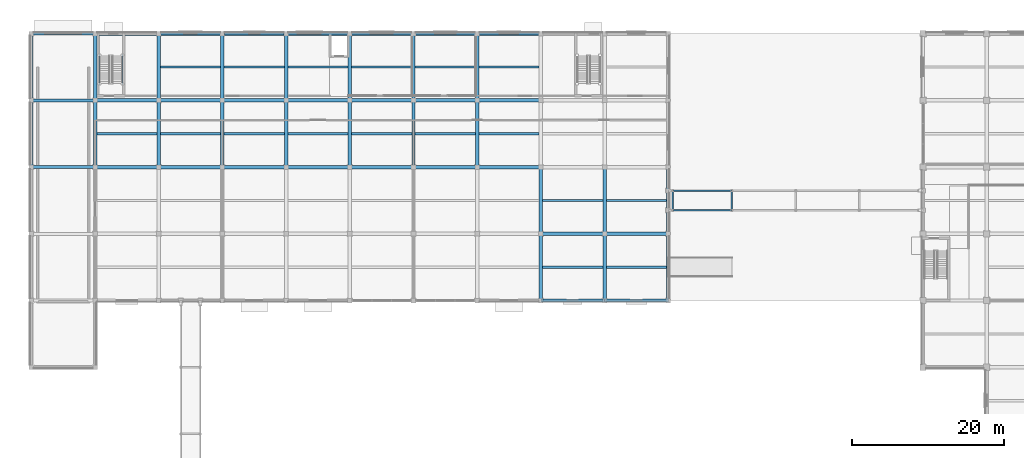
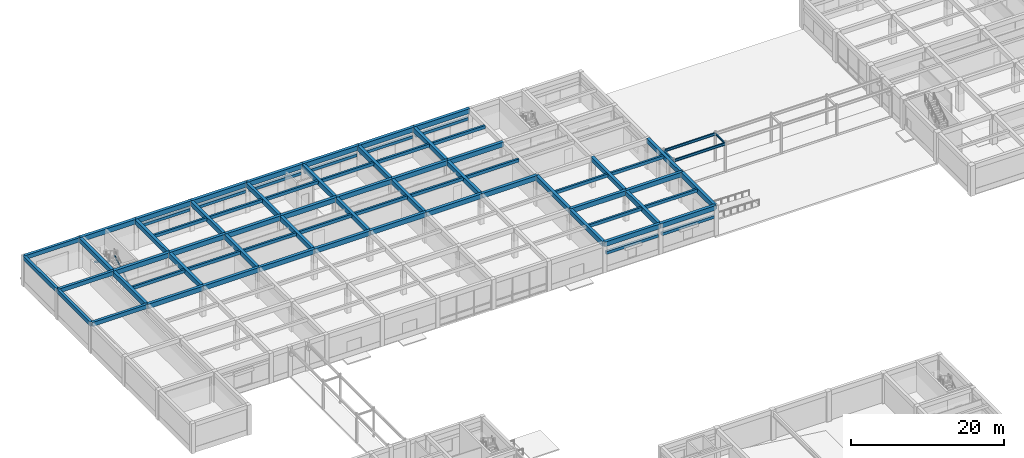
# One storey, part 17 of 58: 79 beams, 2 members.
"""IFC4 building model written with IfcOpenShell, lengths in metres."""

import ifcopenshell
import ifcopenshell.guid

model = None  # the IFC model being written
_history = None  # IfcOwnerHistory: only IFC2X3 demands one
_inside = {}  # id of a spatial element -> (the spatial element, [elements in it])
_under = {}  # id of a project, library or spatial element -> (it, [spatial elements below it])
_declared = {}  # id of a project -> (the project, [libraries it declares])
_typed = {}  # id of a type object -> (the type object, [elements of that type])
_made_of = {}  # id of a material, layer set ... -> (it, [elements and type objects made of it])


def new_model(schema):
    """Start an empty IFC model of exactly this schema.

    Asked for "IFC4X3", IfcOpenShell would pick the latest addendum, in which some entities
    have other attributes; the version numbers below select the first issue.
    IFC2X3 requires an IfcOwnerHistory on every rooted entity: one is made here for all.
    """
    global model, _history
    if schema == "IFC4X3":
        model = ifcopenshell.file(schema_version=(4, 3, 0, 0))
    else:
        model = ifcopenshell.file(schema=schema)
    _inside.clear()
    _under.clear()
    _declared.clear()
    _typed.clear()
    _made_of.clear()
    _history = None
    if model.schema == "IFC2X3":
        org = make("IfcOrganization", Name="unknown")
        user = make(
            "IfcPersonAndOrganization",
            ThePerson=make("IfcPerson", FamilyName="unknown"),
            TheOrganization=org,
        )
        app = make(
            "IfcApplication",
            ApplicationDeveloper=org,
            Version="unknown",
            ApplicationFullName="unknown",
            ApplicationIdentifier="unknown",
        )
        _history = make(
            "IfcOwnerHistory",
            OwningUser=user,
            OwningApplication=app,
            ChangeAction="ADDED",
            CreationDate=0,
        )
    return model


def make(cls, **values):
    """One entity of the class cls with the attributes given. An attribute that is None is left unset."""
    return model.create_entity(
        cls, **{name: value for name, value in values.items() if value is not None}
    )


def rooted(cls, **values):
    """An entity with a GlobalId (a new one), such as an element, a storey or a relation."""
    return make(cls, GlobalId=ifcopenshell.guid.new(), OwnerHistory=_history, **values)


def si_unit(unit_type, name, prefix=None):
    """IfcSIUnit, for example si_unit("LENGTHUNIT", "METRE", prefix="MILLI")."""
    return make("IfcSIUnit", UnitType=unit_type, Prefix=prefix, Name=name)


def assignment(units):
    """IfcUnitAssignment: the units of a project."""
    return None if units is None else make("IfcUnitAssignment", Units=units)


def point(xyz):
    """IfcCartesianPoint."""
    return None if xyz is None else make("IfcCartesianPoint", Coordinates=xyz)


def direction(xyz):
    """IfcDirection."""
    return None if xyz is None else make("IfcDirection", DirectionRatios=xyz)


def frame(location, z_axis=None, x_axis=None):
    """IfcAxis2Placement3D, a coordinate frame: its origin and axes. An axis left out is left unset."""
    return make(
        "IfcAxis2Placement3D",
        Location=point(location),
        Axis=direction(z_axis),
        RefDirection=direction(x_axis),
    )


def frame_2d(location, x_axis=None):
    """IfcAxis2Placement2D, a coordinate frame in the plane: its origin and x axis."""
    return make(
        "IfcAxis2Placement2D", Location=point(location), RefDirection=direction(x_axis)
    )


def origin():
    """The frame at (0, 0, 0) with its axes left unset."""
    return frame((0.0, 0.0, 0.0))


def origin_2d():
    """The frame at (0, 0) in the plane with its x axis left unset."""
    return frame_2d((0.0, 0.0))


def place(relative_to, where):
    """IfcLocalPlacement: puts the frame where relative to a parent placement (None: the world)."""
    return make(
        "IfcLocalPlacement", PlacementRelTo=relative_to, RelativePlacement=where
    )


def context(
    kind, dimensions, precision=None, world=None, true_north=None, identifier=None
):
    """IfcGeometricRepresentationContext, for example the 3D "Model" context."""
    return make(
        "IfcGeometricRepresentationContext",
        ContextIdentifier=identifier,
        ContextType=kind,
        CoordinateSpaceDimension=dimensions,
        Precision=precision,
        WorldCoordinateSystem=world,
        TrueNorth=true_north,
    )


def subcontext(parent, identifier, kind, view, scale=None):
    """IfcGeometricRepresentationSubContext, for example "Body" below "Model"."""
    return make(
        "IfcGeometricRepresentationSubContext",
        ContextIdentifier=identifier,
        ContextType=kind,
        ParentContext=parent,
        TargetScale=scale,
        TargetView=view,
    )


def project(units=None, contexts=None):
    """IfcProject with its units and contexts."""
    return rooted(
        "IfcProject",
        Name="project",
        RepresentationContexts=contexts,
        UnitsInContext=assignment(units),
    )


def spatial(cls, under=None, at=None, **own):
    """A site, building, storey or space (cls), placed at a placement, below another one or the project."""
    s = rooted(cls, ObjectPlacement=at, **own)
    if under is not None:
        _under.setdefault(under.id(), (under, []))[1].append(s)
    return s


def profile(cls, at=None, kind="AREA", **sizes):
    """A parametric profile (cls). Its sizes go by their IFC names, for example OverallWidth=200.0."""
    return make(cls, ProfileType=kind, Position=at, **sizes)


def rectangle(**sizes):
    """IfcRectangleProfileDef."""
    return profile("IfcRectangleProfileDef", **sizes)


def hollow_rectangle(**sizes):
    """IfcRectangleHollowProfileDef."""
    return profile("IfcRectangleHollowProfileDef", **sizes)


def i_section(**sizes):
    """IfcIShapeProfileDef."""
    return profile("IfcIShapeProfileDef", **sizes)


def extrude(swept, where, along, depth):
    """IfcExtrudedAreaSolid: the profile swept, set in the frame where, extruded along a direction by depth."""
    return make(
        "IfcExtrudedAreaSolid",
        SweptArea=swept,
        Position=where,
        ExtrudedDirection=direction(along),
        Depth=depth,
    )


def shape(context_of_items, identifier, shape_type, items):
    """IfcShapeRepresentation: the items that make up one representation, for example the "Body"."""
    return make(
        "IfcShapeRepresentation",
        ContextOfItems=context_of_items,
        RepresentationIdentifier=identifier,
        RepresentationType=shape_type,
        Items=items,
    )


def material(Name=None, Category=None):
    """IfcMaterial."""
    return make("IfcMaterial", Name=Name, Category=Category)


def material_profile(
    of_material, cross_section, Name=None, Category=None, Priority=None
):
    """IfcMaterialProfile: a cross section and its material."""
    return make(
        "IfcMaterialProfile",
        Name=Name,
        Material=of_material,
        Profile=cross_section,
        Priority=Priority,
        Category=Category,
    )


def profile_set(profiles, Name=None, composite=None):
    """IfcMaterialProfileSet."""
    return make(
        "IfcMaterialProfileSet",
        Name=Name,
        MaterialProfiles=profiles,
        CompositeProfile=composite,
    )


def made_of(thing, what):
    """Note that an element or type object is made of a material, layer set ...; save() writes the relation."""
    if what is not None:
        _made_of.setdefault(what.id(), (what, []))[1].append(thing)
    return thing


def type_object(cls, material=None, **own):
    """A type object (cls), such as IfcWallType, which elements share."""
    return made_of(rooted(cls, **own), material)


def element(
    cls,
    number,
    at=None,
    inside=None,
    cuts=None,
    type_object=None,
    material=None,
    context=None,
    identifier="Body",
    shape_type=None,
    held_by="IfcProductDefinitionShape",
    body=None,
    shapes=None,
    **own,
):
    """One element of the class cls, such as IfcWall. Its Tag is "e" and its number.

    at: its placement. inside: the storey or other place that contains it. cuts: it is an
    opening in that element (IfcRelVoidsElement). A single representation is given by context,
    identifier, shape_type and body (its items); several are given by shapes. held_by: the class
    of the entity that holds the representations. save() writes the other relations.
    """
    e = rooted(cls, Tag="e%d" % number, ObjectPlacement=at, **own)
    if body is not None:
        shapes = [shape(context, identifier, shape_type, body)]
    if shapes is not None:
        e.Representation = make(held_by, Representations=shapes)
    if inside is not None:
        _inside.setdefault(inside.id(), (inside, []))[1].append(e)
    if cuts is not None:
        rooted(
            "IfcRelVoidsElement", RelatingBuildingElement=cuts, RelatedOpeningElement=e
        )
    if type_object is not None:
        _typed.setdefault(type_object.id(), (type_object, []))[1].append(e)
    return made_of(e, material)


def aggregate(whole, parts):
    """IfcRelAggregates: a whole, such as a stair, and the parts it consists of."""
    return rooted("IfcRelAggregates", RelatingObject=whole, RelatedObjects=parts)


def save(model, path):
    """Write the relations noted so far, then the file.

    IfcRelAggregates (storeys below a building ...), IfcRelContainedInSpatialStructure (elements
    in a storey), IfcRelDefinesByType, IfcRelAssociatesMaterial and IfcRelDeclares: one each for
    every whole, place, type object, material and project.
    """
    for whole, parts in _under.values():
        aggregate(whole, parts)
    for where, things in _inside.values():
        rooted(
            "IfcRelContainedInSpatialStructure",
            RelatedElements=things,
            RelatingStructure=where,
        )
    for kind, things in _typed.values():
        rooted("IfcRelDefinesByType", RelatedObjects=things, RelatingType=kind)
    for what, things in _made_of.values():
        rooted("IfcRelAssociatesMaterial", RelatedObjects=things, RelatingMaterial=what)
    for by, libraries in _declared.values():
        rooted("IfcRelDeclares", RelatingContext=by, RelatedDefinitions=libraries)
    model.write(path)


model = new_model("IFC4")

# Units and contexts
model_context = context("Model", 3, precision=1e-05, world=origin(), true_north=direction((0.0, 1.0)))
body_context = subcontext(model_context, "Body", "Model", "MODEL_VIEW")
ifc_project = project(units=[si_unit("LENGTHUNIT", "METRE"), si_unit("AREAUNIT", "SQUARE_METRE"), si_unit("VOLUMEUNIT", "CUBIC_METRE"), si_unit("PLANEANGLEUNIT", "RADIAN"), si_unit("MASSUNIT", "GRAM", prefix="KILO")], contexts=[model_context])

# Site, building, storey
site_placement = place(None, origin())
site = spatial("IfcSite", under=ifc_project, at=site_placement, CompositionType="ELEMENT")
building_placement = place(site_placement, origin())
building = spatial("IfcBuilding", under=site, at=building_placement, Name="Kemercrest Conservatory and Botanical Centre", CompositionType="ELEMENT")
storey_placement = place(building_placement, origin())
storey = spatial("IfcBuildingStorey", under=building, at=storey_placement, Name="L00", CompositionType="ELEMENT", Elevation=0.0)

# Beams
ifc_material_1 = material(Name="Steel CSA G40.21 350W", Category="steel")
ifc_material_profile_1 = material_profile(ifc_material_1, i_section(OverallWidth=0.180908203125, OverallDepth=0.4169921875, WebThickness=0.010986328125, FlangeThickness=0.018310546875, FilletRadius=0.01611328125, at=origin_2d()), Name="W410X85")
ifc_profile_set_1 = profile_set([ifc_material_profile_1], Name="Steel CSA G40.21 350W")
beam_type_1 = type_object("IfcBeamType", Name="BM-LB410", PredefinedType="BEAM", material=ifc_profile_set_1)
for number, where, z_axis, x_axis, name in (
    (1, (92.60009765625, 99.10009765625, 4.37158203125), (1.0, 0.0, 0.0), (0.0, 1.0, 0.0), "Link bridge girder LB-01 SJ-3"),
    (2, (92.60009765625, 101.699951171875, 4.37158203125), (1.0, 0.0, 0.0), (0.0, 1.0, 0.0), "Link bridge girder LB-01 SJ-3"),
):
    element("IfcBeam", number, at=place(storey_placement, frame(where, z_axis=z_axis, x_axis=x_axis)), inside=storey, type_object=beam_type_1, Name=name, PredefinedType="BEAM", context=body_context, shape_type="SweptSolid", body=[
        extrude(i_section(OverallWidth=0.180908203125, OverallDepth=0.4169921875, WebThickness=0.010986328125, FlangeThickness=0.018310546875, FilletRadius=0.01611328125, at=origin_2d()), origin(), (0.0, 0.0, 1.0), 7.7998046875),
    ])
ifc_material_2 = material(Name="Concrete C40/50", Category="concrete")
ifc_material_profile_2 = material_profile(ifc_material_2, rectangle(XDim=0.39990234375, YDim=0.64990234375, at=origin_2d()), Name="RC 400x650")
ifc_profile_set_2 = profile_set([ifc_material_profile_2], Name="Concrete C40/50")
beam_type_2 = type_object("IfcBeamType", Name="BM-RC65", PredefinedType="BEAM", material=ifc_profile_set_2)
for number, where, z_axis, x_axis, name in (
    (3, (8.0, 104.800048828125, 4.47509765625), (1.0, 0.0, 0.0), (0.0, 1.0, 0.0), "V3RAMP beam BM-RC65 M/01-02"),
    (4, (8.0, 113.60009765625, 4.47509765625), (1.0, 0.0, 0.0), (0.0, 1.0, 0.0), "V3RAMP beam BM-RC65 N/01-02"),
):
    element("IfcBeam", number, at=place(storey_placement, frame(where, z_axis=z_axis, x_axis=x_axis)), inside=storey, type_object=beam_type_2, Name=name, PredefinedType="BEAM", context=body_context, shape_type="SweptSolid", body=[
        extrude(rectangle(XDim=0.39990234375, YDim=0.64990234375, at=origin_2d()), origin(), (0.0, 0.0, 1.0), 8.39990234375),
    ])
ifc_material_profile_3 = material_profile(ifc_material_2, rectangle(XDim=0.449951171875, YDim=0.75, at=origin_2d()), Name="RC 450x750")
ifc_profile_set_3 = profile_set([ifc_material_profile_3], Name="Concrete C40/50")
beam_type_3 = type_object("IfcBeamType", Name="BM-RC75", PredefinedType="BEAM", material=ifc_profile_set_3)
beam_1_placement = place(storey_placement, frame((75.199951171875, 96.0, 4.425048828125), z_axis=(1.0, 0.0, 0.0), x_axis=(0.0, 1.0, 0.0)))
element("IfcBeam", 5, at=beam_1_placement, inside=storey, type_object=beam_type_3, Name="V3-L01 beam BM-RC75 L/09-10", PredefinedType="BEAM", context=body_context, shape_type="SweptSolid", body=[
    extrude(rectangle(XDim=0.449951171875, YDim=0.75, at=origin_2d()), origin(), (0.0, 0.0, 1.0), 8.400146484375),
])
beam_2_placement = place(storey_placement, frame((83.60009765625, 96.0, 4.425048828125), z_axis=(1.0, 0.0, 0.0), x_axis=(0.0, 1.0, 0.0)))
element("IfcBeam", 6, at=beam_2_placement, inside=storey, type_object=beam_type_3, Name="V3-L01 beam BM-RC75 L/10-11", PredefinedType="BEAM", context=body_context, shape_type="SweptSolid", body=[
    extrude(rectangle(XDim=0.449951171875, YDim=0.75, at=origin_2d()), origin(), (0.0, 0.0, 1.0), 8.39990234375),
])
beam_3_placement = place(storey_placement, frame((16.39990234375, 104.800048828125, 4.425048828125), z_axis=(1.0, 0.0, 0.0), x_axis=(0.0, 1.0, 0.0)))
element("IfcBeam", 7, at=beam_3_placement, inside=storey, type_object=beam_type_3, Name="V3-L01 beam BM-RC75 M/02-03", PredefinedType="BEAM", context=body_context, shape_type="SweptSolid", body=[
    extrude(rectangle(XDim=0.449951171875, YDim=0.75, at=origin_2d()), origin(), (0.0, 0.0, 1.0), 8.400146484375),
])
beam_4_placement = place(storey_placement, frame((24.800048828125, 104.800048828125, 4.425048828125), z_axis=(1.0, 0.0, 0.0), x_axis=(0.0, 1.0, 0.0)))
element("IfcBeam", 8, at=beam_4_placement, inside=storey, type_object=beam_type_3, Name="V3-L01 beam BM-RC75 M/03-04", PredefinedType="BEAM", context=body_context, shape_type="SweptSolid", body=[
    extrude(rectangle(XDim=0.449951171875, YDim=0.75, at=origin_2d()), origin(), (0.0, 0.0, 1.0), 8.39990234375),
])
beam_5_placement = place(storey_placement, frame((33.199951171875, 104.800048828125, 4.425048828125), z_axis=(1.0, 0.0, 0.0), x_axis=(0.0, 1.0, 0.0)))
element("IfcBeam", 9, at=beam_5_placement, inside=storey, type_object=beam_type_3, Name="V3-L01 beam BM-RC75 M/04-05", PredefinedType="BEAM", context=body_context, shape_type="SweptSolid", body=[
    extrude(rectangle(XDim=0.449951171875, YDim=0.75, at=origin_2d()), origin(), (0.0, 0.0, 1.0), 8.400146484375),
])
for number, where, z_axis, x_axis, name in (
    (10, (41.60009765625, 104.800048828125, 4.425048828125), (1.0, 0.0, 0.0), (0.0, 1.0, 0.0), "V3-L01 beam BM-RC75 M/05-06"),
    (11, (50.0, 104.800048828125, 4.425048828125), (1.0, 0.0, 0.0), (0.0, 1.0, 0.0), "V3-L01 beam BM-RC75 M/06-07"),
):
    element("IfcBeam", number, at=place(storey_placement, frame(where, z_axis=z_axis, x_axis=x_axis)), inside=storey, type_object=beam_type_3, Name=name, PredefinedType="BEAM", context=body_context, shape_type="SweptSolid", body=[
        extrude(rectangle(XDim=0.449951171875, YDim=0.75, at=origin_2d()), origin(), (0.0, 0.0, 1.0), 8.39990234375),
    ])
beam_6_placement = place(storey_placement, frame((58.39990234375, 104.800048828125, 4.425048828125), z_axis=(1.0, 0.0, 0.0), x_axis=(0.0, 1.0, 0.0)))
element("IfcBeam", 12, at=beam_6_placement, inside=storey, type_object=beam_type_3, Name="V3-L01 beam BM-RC75 M/07-08", PredefinedType="BEAM", context=body_context, shape_type="SweptSolid", body=[
    extrude(rectangle(XDim=0.449951171875, YDim=0.75, at=origin_2d()), origin(), (0.0, 0.0, 1.0), 8.400146484375),
])
beam_7_placement = place(storey_placement, frame((66.800048828125, 104.800048828125, 4.425048828125), z_axis=(1.0, 0.0, 0.0), x_axis=(0.0, 1.0, 0.0)))
element("IfcBeam", 13, at=beam_7_placement, inside=storey, type_object=beam_type_3, Name="V3-L01 beam BM-RC75 M/08-09", PredefinedType="BEAM", context=body_context, shape_type="SweptSolid", body=[
    extrude(rectangle(XDim=0.449951171875, YDim=0.75, at=origin_2d()), origin(), (0.0, 0.0, 1.0), 8.39990234375),
])
beam_8_placement = place(storey_placement, frame((16.39990234375, 113.60009765625, 4.425048828125), z_axis=(1.0, 0.0, 0.0), x_axis=(0.0, 1.0, 0.0)))
element("IfcBeam", 14, at=beam_8_placement, inside=storey, type_object=beam_type_3, Name="V3-L01 beam BM-RC75 N/02-03", PredefinedType="BEAM", context=body_context, shape_type="SweptSolid", body=[
    extrude(rectangle(XDim=0.449951171875, YDim=0.75, at=origin_2d()), origin(), (0.0, 0.0, 1.0), 8.400146484375),
])
beam_9_placement = place(storey_placement, frame((24.800048828125, 113.60009765625, 4.425048828125), z_axis=(1.0, 0.0, 0.0), x_axis=(0.0, 1.0, 0.0)))
element("IfcBeam", 15, at=beam_9_placement, inside=storey, type_object=beam_type_3, Name="V3-L01 beam BM-RC75 N/03-04", PredefinedType="BEAM", context=body_context, shape_type="SweptSolid", body=[
    extrude(rectangle(XDim=0.449951171875, YDim=0.75, at=origin_2d()), origin(), (0.0, 0.0, 1.0), 8.39990234375),
])
beam_10_placement = place(storey_placement, frame((33.199951171875, 113.60009765625, 4.425048828125), z_axis=(1.0, 0.0, 0.0), x_axis=(0.0, 1.0, 0.0)))
element("IfcBeam", 16, at=beam_10_placement, inside=storey, type_object=beam_type_3, Name="V3-L01 beam BM-RC75 N/04-05", PredefinedType="BEAM", context=body_context, shape_type="SweptSolid", body=[
    extrude(rectangle(XDim=0.449951171875, YDim=0.75, at=origin_2d()), origin(), (0.0, 0.0, 1.0), 8.400146484375),
])
for number, where, z_axis, x_axis, name in (
    (17, (41.60009765625, 113.60009765625, 4.425048828125), (1.0, 0.0, 0.0), (0.0, 1.0, 0.0), "V3-L01 beam BM-RC75 N/05-06"),
    (18, (50.0, 113.60009765625, 4.425048828125), (1.0, 0.0, 0.0), (0.0, 1.0, 0.0), "V3-L01 beam BM-RC75 N/06-07"),
):
    element("IfcBeam", number, at=place(storey_placement, frame(where, z_axis=z_axis, x_axis=x_axis)), inside=storey, type_object=beam_type_3, Name=name, PredefinedType="BEAM", context=body_context, shape_type="SweptSolid", body=[
        extrude(rectangle(XDim=0.449951171875, YDim=0.75, at=origin_2d()), origin(), (0.0, 0.0, 1.0), 8.39990234375),
    ])
beam_11_placement = place(storey_placement, frame((58.39990234375, 113.60009765625, 4.425048828125), z_axis=(1.0, 0.0, 0.0), x_axis=(0.0, 1.0, 0.0)))
element("IfcBeam", 19, at=beam_11_placement, inside=storey, type_object=beam_type_3, Name="V3-L01 beam BM-RC75 N/07-08", PredefinedType="BEAM", context=body_context, shape_type="SweptSolid", body=[
    extrude(rectangle(XDim=0.449951171875, YDim=0.75, at=origin_2d()), origin(), (0.0, 0.0, 1.0), 8.400146484375),
])
beam_12_placement = place(storey_placement, frame((66.800048828125, 113.60009765625, 4.425048828125), z_axis=(1.0, 0.0, 0.0), x_axis=(0.0, 1.0, 0.0)))
element("IfcBeam", 20, at=beam_12_placement, inside=storey, type_object=beam_type_3, Name="V3-L01 beam BM-RC75 N/08-09", PredefinedType="BEAM", context=body_context, shape_type="SweptSolid", body=[
    extrude(rectangle(XDim=0.449951171875, YDim=0.75, at=origin_2d()), origin(), (0.0, 0.0, 1.0), 8.39990234375),
])
beam_13_placement = place(storey_placement, frame((24.800048828125, 104.800048828125, 4.425048828125), z_axis=(0.0, 1.0, 0.0), x_axis=(-1.0, 0.0, 0.0)))
element("IfcBeam", 21, at=beam_13_placement, inside=storey, type_object=beam_type_3, Name="V3-L01 beam BM-RC75 03/M-N", PredefinedType="BEAM", context=body_context, shape_type="SweptSolid", body=[
    extrude(rectangle(XDim=0.449951171875, YDim=0.75, at=origin_2d()), origin(), (0.0, 0.0, 1.0), 8.800048828125),
])
beam_14_placement = place(storey_placement, frame((24.800048828125, 113.60009765625, 4.425048828125), z_axis=(0.0, 1.0, 0.0), x_axis=(-1.0, 0.0, 0.0)))
element("IfcBeam", 22, at=beam_14_placement, inside=storey, type_object=beam_type_3, Name="V3-L01 beam BM-RC75 03/N-P", PredefinedType="BEAM", context=body_context, shape_type="SweptSolid", body=[
    extrude(rectangle(XDim=0.449951171875, YDim=0.75, at=origin_2d()), origin(), (0.0, 0.0, 1.0), 8.7998046875),
])
beam_15_placement = place(storey_placement, frame((33.199951171875, 104.800048828125, 4.425048828125), z_axis=(0.0, 1.0, 0.0), x_axis=(-1.0, 0.0, 0.0)))
element("IfcBeam", 23, at=beam_15_placement, inside=storey, type_object=beam_type_3, Name="V3-L01 beam BM-RC75 04/M-N", PredefinedType="BEAM", context=body_context, shape_type="SweptSolid", body=[
    extrude(rectangle(XDim=0.449951171875, YDim=0.75, at=origin_2d()), origin(), (0.0, 0.0, 1.0), 8.800048828125),
])
beam_16_placement = place(storey_placement, frame((33.199951171875, 113.60009765625, 4.425048828125), z_axis=(0.0, 1.0, 0.0), x_axis=(-1.0, 0.0, 0.0)))
element("IfcBeam", 24, at=beam_16_placement, inside=storey, type_object=beam_type_3, Name="V3-L01 beam BM-RC75 04/N-P", PredefinedType="BEAM", context=body_context, shape_type="SweptSolid", body=[
    extrude(rectangle(XDim=0.449951171875, YDim=0.75, at=origin_2d()), origin(), (0.0, 0.0, 1.0), 8.7998046875),
])
beam_17_placement = place(storey_placement, frame((41.60009765625, 104.800048828125, 4.425048828125), z_axis=(0.0, 1.0, 0.0), x_axis=(-1.0, 0.0, 0.0)))
element("IfcBeam", 25, at=beam_17_placement, inside=storey, type_object=beam_type_3, Name="V3-L01 beam BM-RC75 05/M-N", PredefinedType="BEAM", context=body_context, shape_type="SweptSolid", body=[
    extrude(rectangle(XDim=0.449951171875, YDim=0.75, at=origin_2d()), origin(), (0.0, 0.0, 1.0), 8.800048828125),
])
beam_18_placement = place(storey_placement, frame((41.60009765625, 113.60009765625, 4.425048828125), z_axis=(0.0, 1.0, 0.0), x_axis=(-1.0, 0.0, 0.0)))
element("IfcBeam", 26, at=beam_18_placement, inside=storey, type_object=beam_type_3, Name="V3-L01 beam BM-RC75 05/N-P", PredefinedType="BEAM", context=body_context, shape_type="SweptSolid", body=[
    extrude(rectangle(XDim=0.449951171875, YDim=0.75, at=origin_2d()), origin(), (0.0, 0.0, 1.0), 8.7998046875),
])
beam_19_placement = place(storey_placement, frame((50.0, 104.800048828125, 4.425048828125), z_axis=(0.0, 1.0, 0.0), x_axis=(-1.0, 0.0, 0.0)))
element("IfcBeam", 27, at=beam_19_placement, inside=storey, type_object=beam_type_3, Name="V3-L01 beam BM-RC75 06/M-N", PredefinedType="BEAM", context=body_context, shape_type="SweptSolid", body=[
    extrude(rectangle(XDim=0.449951171875, YDim=0.75, at=origin_2d()), origin(), (0.0, 0.0, 1.0), 8.800048828125),
])
beam_20_placement = place(storey_placement, frame((50.0, 113.60009765625, 4.425048828125), z_axis=(0.0, 1.0, 0.0), x_axis=(-1.0, 0.0, 0.0)))
element("IfcBeam", 28, at=beam_20_placement, inside=storey, type_object=beam_type_3, Name="V3-L01 beam BM-RC75 06/N-P", PredefinedType="BEAM", context=body_context, shape_type="SweptSolid", body=[
    extrude(rectangle(XDim=0.449951171875, YDim=0.75, at=origin_2d()), origin(), (0.0, 0.0, 1.0), 8.7998046875),
])
beam_21_placement = place(storey_placement, frame((58.39990234375, 104.800048828125, 4.425048828125), z_axis=(0.0, 1.0, 0.0), x_axis=(-1.0, 0.0, 0.0)))
element("IfcBeam", 29, at=beam_21_placement, inside=storey, type_object=beam_type_3, Name="V3-L01 beam BM-RC75 07/M-N", PredefinedType="BEAM", context=body_context, shape_type="SweptSolid", body=[
    extrude(rectangle(XDim=0.449951171875, YDim=0.75, at=origin_2d()), origin(), (0.0, 0.0, 1.0), 8.800048828125),
])
beam_22_placement = place(storey_placement, frame((58.39990234375, 113.60009765625, 4.425048828125), z_axis=(0.0, 1.0, 0.0), x_axis=(-1.0, 0.0, 0.0)))
element("IfcBeam", 30, at=beam_22_placement, inside=storey, type_object=beam_type_3, Name="V3-L01 beam BM-RC75 07/N-P", PredefinedType="BEAM", context=body_context, shape_type="SweptSolid", body=[
    extrude(rectangle(XDim=0.449951171875, YDim=0.75, at=origin_2d()), origin(), (0.0, 0.0, 1.0), 8.7998046875),
])
beam_23_placement = place(storey_placement, frame((66.800048828125, 104.800048828125, 4.425048828125), z_axis=(0.0, 1.0, 0.0), x_axis=(-1.0, 0.0, 0.0)))
element("IfcBeam", 31, at=beam_23_placement, inside=storey, type_object=beam_type_3, Name="V3-L01 beam BM-RC75 08/M-N", PredefinedType="BEAM", context=body_context, shape_type="SweptSolid", body=[
    extrude(rectangle(XDim=0.449951171875, YDim=0.75, at=origin_2d()), origin(), (0.0, 0.0, 1.0), 8.800048828125),
])
beam_24_placement = place(storey_placement, frame((66.800048828125, 113.60009765625, 4.425048828125), z_axis=(0.0, 1.0, 0.0), x_axis=(-1.0, 0.0, 0.0)))
element("IfcBeam", 32, at=beam_24_placement, inside=storey, type_object=beam_type_3, Name="V3-L01 beam BM-RC75 08/N-P", PredefinedType="BEAM", context=body_context, shape_type="SweptSolid", body=[
    extrude(rectangle(XDim=0.449951171875, YDim=0.75, at=origin_2d()), origin(), (0.0, 0.0, 1.0), 8.7998046875),
])
for number, where, z_axis, x_axis, name in (
    (33, (75.199951171875, 87.199951171875, 4.425048828125), (0.0, 1.0, 0.0), (-1.0, 0.0, 0.0), "V3-L01 beam BM-RC75 09/K-L"),
    (34, (75.199951171875, 96.0, 4.425048828125), (0.0, 1.0, 0.0), (-1.0, 0.0, 0.0), "V3-L01 beam BM-RC75 09/L-M"),
    (35, (83.60009765625, 87.199951171875, 4.425048828125), (0.0, 1.0, 0.0), (-1.0, 0.0, 0.0), "V3-L01 beam BM-RC75 10/K-L"),
    (36, (83.60009765625, 96.0, 4.425048828125), (0.0, 1.0, 0.0), (-1.0, 0.0, 0.0), "V3-L01 beam BM-RC75 10/L-M"),
):
    element("IfcBeam", number, at=place(storey_placement, frame(where, z_axis=z_axis, x_axis=x_axis)), inside=storey, type_object=beam_type_3, Name=name, PredefinedType="BEAM", context=body_context, shape_type="SweptSolid", body=[
        extrude(rectangle(XDim=0.449951171875, YDim=0.75, at=origin_2d()), origin(), (0.0, 0.0, 1.0), 8.800048828125),
    ])
ifc_material_profile_4 = material_profile(ifc_material_2, rectangle(XDim=0.300048828125, YDim=0.5, at=origin_2d()), Name="RC 300x500")
ifc_profile_set_4 = profile_set([ifc_material_profile_4], Name="Concrete C40/50")
beam_type_4 = type_object("IfcBeamType", Name="JS-RC50", PredefinedType="JOIST", material=ifc_profile_set_4)
for number, where, z_axis, x_axis, name in (
    (37, (75.425048828125, 91.60009765625, 4.550048828125), (1.0, 0.0, 0.0), (0.0, 1.0, 0.0), "V3-L01 secondary joist JS-RC50"),
    (38, (83.824951171875, 91.60009765625, 4.550048828125), (1.0, 0.0, 0.0), (0.0, 1.0, 0.0), "V3-L01 secondary joist JS-RC50"),
    (39, (75.425048828125, 100.39990234375, 4.550048828125), (1.0, 0.0, 0.0), (0.0, 1.0, 0.0), "V3-L01 secondary joist JS-RC50"),
    (40, (83.824951171875, 100.39990234375, 4.550048828125), (1.0, 0.0, 0.0), (0.0, 1.0, 0.0), "V3-L01 secondary joist JS-RC50"),
    (41, (16.625, 109.199951171875, 4.550048828125), (1.0, 0.0, 0.0), (0.0, 1.0, 0.0), "V3-L01 secondary joist JS-RC50"),
):
    element("IfcBeam", number, at=place(storey_placement, frame(where, z_axis=z_axis, x_axis=x_axis)), inside=storey, type_object=beam_type_4, Name=name, PredefinedType="JOIST", context=body_context, shape_type="SweptSolid", body=[
        extrude(rectangle(XDim=0.300048828125, YDim=0.5, at=origin_2d()), origin(), (0.0, 0.0, 1.0), 7.949951171875),
    ])
beam_25_placement = place(storey_placement, frame((25.02490234375, 109.199951171875, 4.550048828125), z_axis=(1.0, 0.0, 0.0), x_axis=(0.0, 1.0, 0.0)))
element("IfcBeam", 42, at=beam_25_placement, inside=storey, type_object=beam_type_4, Name="V3-L01 secondary joist JS-RC50", PredefinedType="JOIST", context=body_context, shape_type="SweptSolid", body=[
    extrude(rectangle(XDim=0.300048828125, YDim=0.5, at=origin_2d()), origin(), (0.0, 0.0, 1.0), 7.9501953125),
])
for number, where, z_axis, x_axis, name in (
    (43, (33.425048828125, 109.199951171875, 4.550048828125), (1.0, 0.0, 0.0), (0.0, 1.0, 0.0), "V3-L01 secondary joist JS-RC50"),
    (44, (41.824951171875, 109.199951171875, 4.550048828125), (1.0, 0.0, 0.0), (0.0, 1.0, 0.0), "V3-L01 secondary joist JS-RC50"),
    (45, (50.22509765625, 109.199951171875, 4.550048828125), (1.0, 0.0, 0.0), (0.0, 1.0, 0.0), "V3-L01 secondary joist JS-RC50"),
    (46, (58.625, 109.199951171875, 4.550048828125), (1.0, 0.0, 0.0), (0.0, 1.0, 0.0), "V3-L01 secondary joist JS-RC50"),
):
    element("IfcBeam", number, at=place(storey_placement, frame(where, z_axis=z_axis, x_axis=x_axis)), inside=storey, type_object=beam_type_4, Name=name, PredefinedType="JOIST", context=body_context, shape_type="SweptSolid", body=[
        extrude(rectangle(XDim=0.300048828125, YDim=0.5, at=origin_2d()), origin(), (0.0, 0.0, 1.0), 7.949951171875),
    ])
for number, where, z_axis, x_axis, name in (
    (47, (67.02490234375, 109.199951171875, 4.550048828125), (1.0, 0.0, 0.0), (0.0, 1.0, 0.0), "V3-L01 secondary joist JS-RC50"),
    (48, (25.02490234375, 118.0, 4.550048828125), (1.0, 0.0, 0.0), (0.0, 1.0, 0.0), "V3-L01 secondary joist JS-RC50"),
):
    element("IfcBeam", number, at=place(storey_placement, frame(where, z_axis=z_axis, x_axis=x_axis)), inside=storey, type_object=beam_type_4, Name=name, PredefinedType="JOIST", context=body_context, shape_type="SweptSolid", body=[
        extrude(rectangle(XDim=0.300048828125, YDim=0.5, at=origin_2d()), origin(), (0.0, 0.0, 1.0), 7.9501953125),
    ])
for number, where, z_axis, x_axis, name in (
    (49, (33.425048828125, 118.0, 4.550048828125), (1.0, 0.0, 0.0), (0.0, 1.0, 0.0), "V3-L01 secondary joist JS-RC50"),
    (50, (41.824951171875, 118.0, 4.550048828125), (1.0, 0.0, 0.0), (0.0, 1.0, 0.0), "V3-L01 secondary joist JS-RC50"),
    (51, (50.22509765625, 118.0, 4.550048828125), (1.0, 0.0, 0.0), (0.0, 1.0, 0.0), "V3-L01 secondary joist JS-RC50"),
    (52, (58.625, 118.0, 4.550048828125), (1.0, 0.0, 0.0), (0.0, 1.0, 0.0), "V3-L01 secondary joist JS-RC50"),
):
    element("IfcBeam", number, at=place(storey_placement, frame(where, z_axis=z_axis, x_axis=x_axis)), inside=storey, type_object=beam_type_4, Name=name, PredefinedType="JOIST", context=body_context, shape_type="SweptSolid", body=[
        extrude(rectangle(XDim=0.300048828125, YDim=0.5, at=origin_2d()), origin(), (0.0, 0.0, 1.0), 7.949951171875),
    ])
beam_26_placement = place(storey_placement, frame((67.02490234375, 118.0, 4.550048828125), z_axis=(1.0, 0.0, 0.0), x_axis=(0.0, 1.0, 0.0)))
element("IfcBeam", 53, at=beam_26_placement, inside=storey, type_object=beam_type_4, Name="V3-L01 secondary joist JS-RC50", PredefinedType="JOIST", context=body_context, shape_type="SweptSolid", body=[
    extrude(rectangle(XDim=0.300048828125, YDim=0.5, at=origin_2d()), origin(), (0.0, 0.0, 1.0), 7.9501953125),
])
ifc_material_profile_5 = material_profile(ifc_material_1, i_section(OverallWidth=0.202880859375, OverallDepth=0.251953125, WebThickness=0.008056640625, FlangeThickness=0.013427734375, FilletRadius=0.010986328125, at=origin_2d()), Name="W250X58")
ifc_profile_set_5 = profile_set([ifc_material_profile_5], Name="Steel CSA G40.21 350W")
beam_type_5 = type_object("IfcBeamType", Name="JS-W250", PredefinedType="JOIST", material=ifc_profile_set_5)
for number, where, z_axis, x_axis, name in (
    (54, (92.60009765625, 99.1904296875, 4.37158203125), (0.0, 1.0, 0.0), (-1.0, 0.0, 0.0), "Link bridge cross beam SJ-3"),
    (55, (100.39990234375, 99.1904296875, 4.37158203125), (0.0, 1.0, 0.0), (-1.0, 0.0, 0.0), "Link bridge cross beam SJ-3"),
):
    element("IfcBeam", number, at=place(storey_placement, frame(where, z_axis=z_axis, x_axis=x_axis)), inside=storey, type_object=beam_type_5, Name=name, PredefinedType="JOIST", context=body_context, shape_type="SweptSolid", body=[
        extrude(i_section(OverallWidth=0.202880859375, OverallDepth=0.251953125, WebThickness=0.008056640625, FlangeThickness=0.013427734375, FilletRadius=0.010986328125, at=origin_2d()), origin(), (0.0, 0.0, 1.0), 2.419189453125),
    ])
ifc_material_3 = material(Name="Precast concrete C40/50", Category="concrete")
ifc_material_profile_6 = material_profile(ifc_material_3, rectangle(XDim=0.35009765625, YDim=0.449951171875, at=origin_2d()), Name="RC 350x450")
ifc_profile_set_6 = profile_set([ifc_material_profile_6], Name="Precast concrete C40/50")
beam_type_6 = type_object("IfcBeamType", Name="LN-RC45", PredefinedType="LINTEL", material=ifc_profile_set_6)
beam_27_placement = place(storey_placement, frame((75.449951171875, 87.199951171875, 2.945068359375), z_axis=(1.0, 0.0, 0.0), x_axis=(0.0, 1.0, 0.0)))
element("IfcBeam", 56, at=beam_27_placement, inside=storey, type_object=beam_type_6, Name="Precast arched window lintel (WIN:L00:EXT-076)", PredefinedType="LINTEL", context=body_context, shape_type="SweptSolid", body=[
    extrude(rectangle(XDim=0.35009765625, YDim=0.449951171875, at=origin_2d()), origin(), (0.0, 0.0, 1.0), 7.900146484375),
])
for number, where, z_axis, x_axis, name in (
    (57, (83.85009765625, 87.199951171875, 2.985107421875), (1.0, 0.0, 0.0), (0.0, 1.0, 0.0), "Precast arched window lintel (WIN:L00:EXT-077)"),
    (58, (74.949951171875, 122.39990234375, 3.205078125), (-1.0, 0.0, 0.0), (0.0, -1.0, 0.0), "Precast arched window lintel (WIN:L00:EXT-084)"),
):
    element("IfcBeam", number, at=place(storey_placement, frame(where, z_axis=z_axis, x_axis=x_axis)), inside=storey, type_object=beam_type_6, Name=name, PredefinedType="LINTEL", context=body_context, shape_type="SweptSolid", body=[
        extrude(rectangle(XDim=0.35009765625, YDim=0.449951171875, at=origin_2d()), origin(), (0.0, 0.0, 1.0), 7.89990234375),
    ])
beam_28_placement = place(storey_placement, frame((66.550048828125, 122.39990234375, 3.2451171875), z_axis=(-1.0, 0.0, 0.0), x_axis=(0.0, -1.0, 0.0)))
element("IfcBeam", 59, at=beam_28_placement, inside=storey, type_object=beam_type_6, Name="Precast arched window lintel (WIN:L00:EXT-085)", PredefinedType="LINTEL", context=body_context, shape_type="SweptSolid", body=[
    extrude(rectangle(XDim=0.35009765625, YDim=0.449951171875, at=origin_2d()), origin(), (0.0, 0.0, 1.0), 7.900146484375),
])
for number, where, z_axis, x_axis, name in (
    (60, (58.14990234375, 122.39990234375, 3.264892578125), (-1.0, 0.0, 0.0), (0.0, -1.0, 0.0), "Precast arched window lintel (WIN:L00:EXT-086)"),
    (61, (49.75, 122.39990234375, 3.304931640625), (-1.0, 0.0, 0.0), (0.0, -1.0, 0.0), "Precast arched window lintel (WIN:L00:EXT-087)"),
):
    element("IfcBeam", number, at=place(storey_placement, frame(where, z_axis=z_axis, x_axis=x_axis)), inside=storey, type_object=beam_type_6, Name=name, PredefinedType="LINTEL", context=body_context, shape_type="SweptSolid", body=[
        extrude(rectangle(XDim=0.35009765625, YDim=0.449951171875, at=origin_2d()), origin(), (0.0, 0.0, 1.0), 7.89990234375),
    ])
beam_29_placement = place(storey_placement, frame((41.35009765625, 122.39990234375, 3.364990234375), z_axis=(-1.0, 0.0, 0.0), x_axis=(0.0, -1.0, 0.0)))
element("IfcBeam", 62, at=beam_29_placement, inside=storey, type_object=beam_type_6, Name="Precast arched window lintel (WIN:L00:EXT-088)", PredefinedType="LINTEL", context=body_context, shape_type="SweptSolid", body=[
    extrude(rectangle(XDim=0.35009765625, YDim=0.449951171875, at=origin_2d()), origin(), (0.0, 0.0, 1.0), 7.900146484375),
])
beam_30_placement = place(storey_placement, frame((32.949951171875, 122.39990234375, 3.405029296875), z_axis=(-1.0, 0.0, 0.0), x_axis=(0.0, -1.0, 0.0)))
element("IfcBeam", 63, at=beam_30_placement, inside=storey, type_object=beam_type_6, Name="Precast arched window lintel (WIN:L00:EXT-089)", PredefinedType="LINTEL", context=body_context, shape_type="SweptSolid", body=[
    extrude(rectangle(XDim=0.35009765625, YDim=0.449951171875, at=origin_2d()), origin(), (0.0, 0.0, 1.0), 7.89990234375),
])
ifc_material_profile_7 = material_profile(ifc_material_2, rectangle(XDim=0.39990234375, YDim=0.64990234375, at=origin_2d()), Name="RC 400x650")
ifc_profile_set_7 = profile_set([ifc_material_profile_7], Name="Concrete C40/50")
beam_type_7 = type_object("IfcBeamType", Name="SP-RC65", PredefinedType="SPANDREL", material=ifc_profile_set_7)
beam_31_placement = place(storey_placement, frame((8.0, 122.39990234375, 4.47509765625), z_axis=(1.0, 0.0, 0.0), x_axis=(0.0, 1.0, 0.0)))
element("IfcBeam", 64, at=beam_31_placement, inside=storey, type_object=beam_type_7, Name="V3RAMP beam SP-RC65 P/01-02", PredefinedType="SPANDREL", context=body_context, shape_type="SweptSolid", body=[
    extrude(rectangle(XDim=0.39990234375, YDim=0.64990234375, at=origin_2d()), origin(), (0.0, 0.0, 1.0), 8.39990234375),
])
beam_32_placement = place(storey_placement, frame((8.0, 104.800048828125, 4.47509765625), z_axis=(0.0, 1.0, 0.0), x_axis=(-1.0, 0.0, 0.0)))
element("IfcBeam", 65, at=beam_32_placement, inside=storey, type_object=beam_type_7, Name="V3RAMP beam SP-RC65 01/M-N", PredefinedType="SPANDREL", context=body_context, shape_type="SweptSolid", body=[
    extrude(rectangle(XDim=0.39990234375, YDim=0.64990234375, at=origin_2d()), origin(), (0.0, 0.0, 1.0), 8.800048828125),
])
beam_33_placement = place(storey_placement, frame((8.0, 113.60009765625, 4.47509765625), z_axis=(0.0, 1.0, 0.0), x_axis=(-1.0, 0.0, 0.0)))
element("IfcBeam", 66, at=beam_33_placement, inside=storey, type_object=beam_type_7, Name="V3RAMP beam SP-RC65 01/N-P", PredefinedType="SPANDREL", context=body_context, shape_type="SweptSolid", body=[
    extrude(rectangle(XDim=0.39990234375, YDim=0.64990234375, at=origin_2d()), origin(), (0.0, 0.0, 1.0), 8.7998046875),
])
ifc_material_profile_8 = material_profile(ifc_material_2, rectangle(XDim=0.449951171875, YDim=0.75, at=origin_2d()), Name="RC 450x750")
ifc_profile_set_8 = profile_set([ifc_material_profile_8], Name="Concrete C40/50")
beam_type_8 = type_object("IfcBeamType", Name="SP-RC75", PredefinedType="SPANDREL", material=ifc_profile_set_8)
beam_34_placement = place(storey_placement, frame((75.199951171875, 87.199951171875, 4.425048828125), z_axis=(1.0, 0.0, 0.0), x_axis=(0.0, 1.0, 0.0)))
element("IfcBeam", 67, at=beam_34_placement, inside=storey, type_object=beam_type_8, Name="V3-L01 beam SP-RC75 K/09-10", PredefinedType="SPANDREL", context=body_context, shape_type="SweptSolid", body=[
    extrude(rectangle(XDim=0.449951171875, YDim=0.75, at=origin_2d()), origin(), (0.0, 0.0, 1.0), 8.400146484375),
])
beam_35_placement = place(storey_placement, frame((83.60009765625, 87.199951171875, 4.425048828125), z_axis=(1.0, 0.0, 0.0), x_axis=(0.0, 1.0, 0.0)))
element("IfcBeam", 68, at=beam_35_placement, inside=storey, type_object=beam_type_8, Name="V3-L01 beam SP-RC75 K/10-11", PredefinedType="SPANDREL", context=body_context, shape_type="SweptSolid", body=[
    extrude(rectangle(XDim=0.449951171875, YDim=0.75, at=origin_2d()), origin(), (0.0, 0.0, 1.0), 8.39990234375),
])
beam_36_placement = place(storey_placement, frame((16.39990234375, 122.39990234375, 4.425048828125), z_axis=(1.0, 0.0, 0.0), x_axis=(0.0, 1.0, 0.0)))
element("IfcBeam", 69, at=beam_36_placement, inside=storey, type_object=beam_type_8, Name="V3-L01 beam SP-RC75 P/02-03", PredefinedType="SPANDREL", context=body_context, shape_type="SweptSolid", body=[
    extrude(rectangle(XDim=0.449951171875, YDim=0.75, at=origin_2d()), origin(), (0.0, 0.0, 1.0), 8.400146484375),
])
beam_37_placement = place(storey_placement, frame((24.800048828125, 122.39990234375, 4.425048828125), z_axis=(1.0, 0.0, 0.0), x_axis=(0.0, 1.0, 0.0)))
element("IfcBeam", 70, at=beam_37_placement, inside=storey, type_object=beam_type_8, Name="V3-L01 beam SP-RC75 P/03-04", PredefinedType="SPANDREL", context=body_context, shape_type="SweptSolid", body=[
    extrude(rectangle(XDim=0.449951171875, YDim=0.75, at=origin_2d()), origin(), (0.0, 0.0, 1.0), 8.39990234375),
])
beam_38_placement = place(storey_placement, frame((33.199951171875, 122.39990234375, 4.425048828125), z_axis=(1.0, 0.0, 0.0), x_axis=(0.0, 1.0, 0.0)))
element("IfcBeam", 71, at=beam_38_placement, inside=storey, type_object=beam_type_8, Name="V3-L01 beam SP-RC75 P/04-05", PredefinedType="SPANDREL", context=body_context, shape_type="SweptSolid", body=[
    extrude(rectangle(XDim=0.449951171875, YDim=0.75, at=origin_2d()), origin(), (0.0, 0.0, 1.0), 8.400146484375),
])
for number, where, z_axis, x_axis, name in (
    (72, (41.60009765625, 122.39990234375, 4.425048828125), (1.0, 0.0, 0.0), (0.0, 1.0, 0.0), "V3-L01 beam SP-RC75 P/05-06"),
    (73, (50.0, 122.39990234375, 4.425048828125), (1.0, 0.0, 0.0), (0.0, 1.0, 0.0), "V3-L01 beam SP-RC75 P/06-07"),
):
    element("IfcBeam", number, at=place(storey_placement, frame(where, z_axis=z_axis, x_axis=x_axis)), inside=storey, type_object=beam_type_8, Name=name, PredefinedType="SPANDREL", context=body_context, shape_type="SweptSolid", body=[
        extrude(rectangle(XDim=0.449951171875, YDim=0.75, at=origin_2d()), origin(), (0.0, 0.0, 1.0), 8.39990234375),
    ])
beam_39_placement = place(storey_placement, frame((58.39990234375, 122.39990234375, 4.425048828125), z_axis=(1.0, 0.0, 0.0), x_axis=(0.0, 1.0, 0.0)))
element("IfcBeam", 74, at=beam_39_placement, inside=storey, type_object=beam_type_8, Name="V3-L01 beam SP-RC75 P/07-08", PredefinedType="SPANDREL", context=body_context, shape_type="SweptSolid", body=[
    extrude(rectangle(XDim=0.449951171875, YDim=0.75, at=origin_2d()), origin(), (0.0, 0.0, 1.0), 8.400146484375),
])
beam_40_placement = place(storey_placement, frame((66.800048828125, 122.39990234375, 4.425048828125), z_axis=(1.0, 0.0, 0.0), x_axis=(0.0, 1.0, 0.0)))
element("IfcBeam", 75, at=beam_40_placement, inside=storey, type_object=beam_type_8, Name="V3-L01 beam SP-RC75 P/08-09", PredefinedType="SPANDREL", context=body_context, shape_type="SweptSolid", body=[
    extrude(rectangle(XDim=0.449951171875, YDim=0.75, at=origin_2d()), origin(), (0.0, 0.0, 1.0), 8.39990234375),
])
beam_41_placement = place(storey_placement, frame((16.39990234375, 104.800048828125, 4.425048828125), z_axis=(0.0, 1.0, 0.0), x_axis=(-1.0, 0.0, 0.0)))
element("IfcBeam", 76, at=beam_41_placement, inside=storey, type_object=beam_type_8, Name="V3-L01 beam SP-RC75 02/M-N", PredefinedType="SPANDREL", context=body_context, shape_type="SweptSolid", body=[
    extrude(rectangle(XDim=0.449951171875, YDim=0.75, at=origin_2d()), origin(), (0.0, 0.0, 1.0), 8.800048828125),
])
beam_42_placement = place(storey_placement, frame((16.39990234375, 113.60009765625, 4.425048828125), z_axis=(0.0, 1.0, 0.0), x_axis=(-1.0, 0.0, 0.0)))
element("IfcBeam", 77, at=beam_42_placement, inside=storey, type_object=beam_type_8, Name="V3-L01 beam SP-RC75 02/N-P", PredefinedType="SPANDREL", context=body_context, shape_type="SweptSolid", body=[
    extrude(rectangle(XDim=0.449951171875, YDim=0.75, at=origin_2d()), origin(), (0.0, 0.0, 1.0), 8.7998046875),
])
for number, where, z_axis, x_axis, name in (
    (78, (92.0, 87.199951171875, 4.425048828125), (0.0, 1.0, 0.0), (-1.0, 0.0, 0.0), "V3-L01 beam SP-RC75 11/K-L"),
    (79, (92.0, 96.0, 4.425048828125), (0.0, 1.0, 0.0), (-1.0, 0.0, 0.0), "V3-L01 beam SP-RC75 11/L-M"),
):
    element("IfcBeam", number, at=place(storey_placement, frame(where, z_axis=z_axis, x_axis=x_axis)), inside=storey, type_object=beam_type_8, Name=name, PredefinedType="SPANDREL", context=body_context, shape_type="SweptSolid", body=[
        extrude(rectangle(XDim=0.449951171875, YDim=0.75, at=origin_2d()), origin(), (0.0, 0.0, 1.0), 8.800048828125),
    ])

# Members
ifc_material_profile_9 = material_profile(ifc_material_1, hollow_rectangle(XDim=0.15234375, YDim=0.25390625, WallThickness=0.009521484375, InnerFilletRadius=0.009521484375, OuterFilletRadius=0.01904296875, at=origin_2d()), Name="HSS 254x152x9.5")
ifc_profile_set_9 = profile_set([ifc_material_profile_9], Name="Steel CSA G40.21 350W")
member_type = type_object("IfcMemberType", Name="SR-STR254", PredefinedType="STRINGER", material=ifc_profile_set_9)
for number, where, z_axis, x_axis, name in (
    (80, (20.010009765625, 115.760009765625, -0.10009765625), (0.0, 0.84748707537, 0.530816029411), (-1.0, 0.0, 0.0), "Stair ST-V3A steel stringer #23"),
    (81, (16.989990234375, 115.760009765625, 4.679931640625), (0.0, 0.847511569253, -0.53077692111), (-1.0, 0.0, 0.0), "Stair ST-V3A steel stringer #24"),
):
    element("IfcMember", number, at=place(storey_placement, frame(where, z_axis=z_axis, x_axis=x_axis)), inside=storey, type_object=member_type, Name=name, PredefinedType="STRINGER", context=body_context, shape_type="SweptSolid", body=[
        extrude(hollow_rectangle(XDim=0.15234375, YDim=0.25390625, WallThickness=0.009521484375, InnerFilletRadius=0.009521484375, OuterFilletRadius=0.01904296875, at=origin_2d()), origin(), (0.0, 0.0, 1.0), 4.48388671875),
    ])

save(model, "model.ifc")
